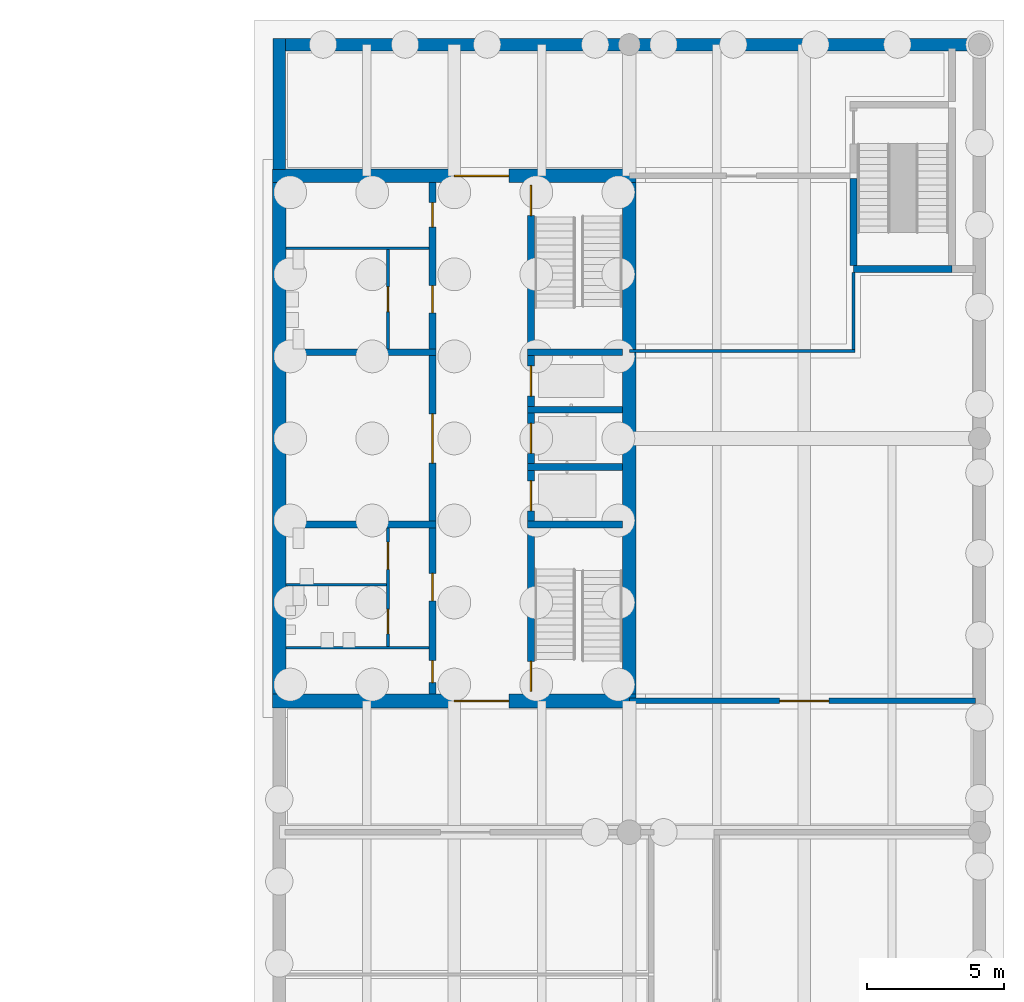
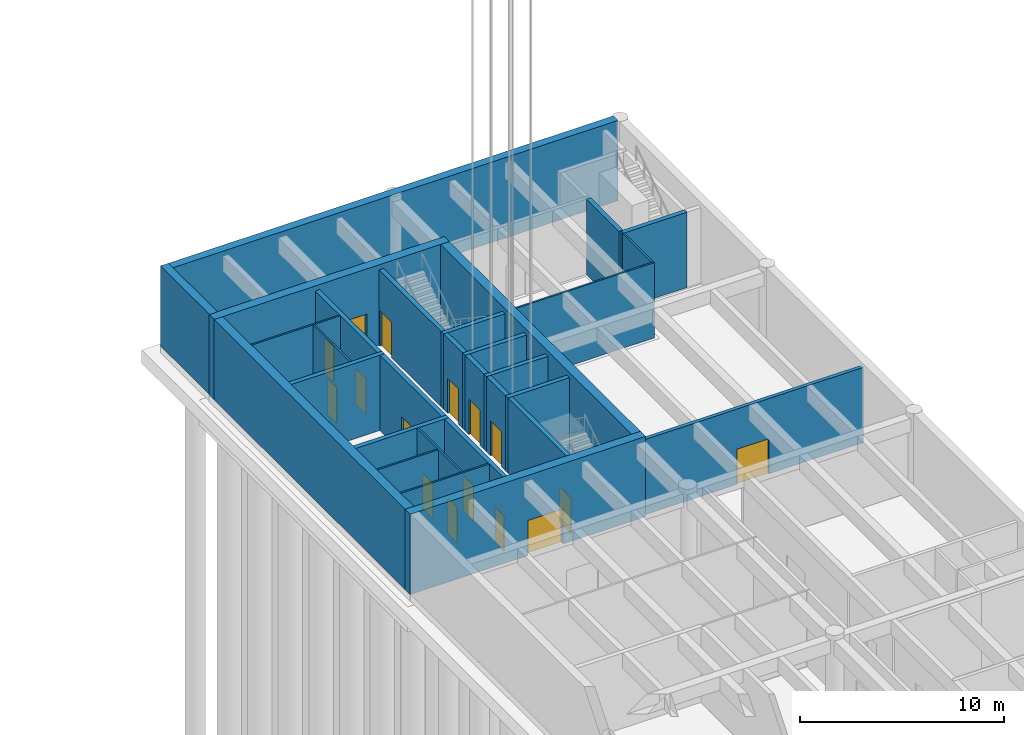
# One storey, part 6 of 24: 30 walls, 16 doors, 16 openings.
"""IFC4 building model written with IfcOpenShell, lengths in metres."""

from ifc_helpers import new_model, si_unit, direction, frame, frame_2d, origin, place, context, subcontext, project, spatial, rectangle, extrude, material, layer, layer_set, type_object, element, fill, save


model = new_model("IFC4")

# Units and contexts
model_context = context("Model", 3, precision=1e-05, world=origin(), true_north=direction((0.0, 1.0)))
body_context = subcontext(model_context, "Body", "Model", "MODEL_VIEW")
ifc_project = project(units=[si_unit("LENGTHUNIT", "METRE"), si_unit("AREAUNIT", "SQUARE_METRE"), si_unit("VOLUMEUNIT", "CUBIC_METRE"), si_unit("PLANEANGLEUNIT", "RADIAN"), si_unit("MASSUNIT", "GRAM", prefix="KILO")], contexts=[model_context])

# Site, building, storey
site_placement = place(None, origin())
site = spatial("IfcSite", under=ifc_project, at=site_placement, CompositionType="ELEMENT")
building_placement = place(site_placement, origin())
building = spatial("IfcBuilding", under=site, at=building_placement, Name="Fogon Plaza Fire Station and Headquarters Tower", CompositionType="ELEMENT")
storey_placement = place(building_placement, frame((0.0, 0.0, -4.800048828125)))
storey = spatial("IfcBuildingStorey", under=building, at=storey_placement, Name="B1", CompositionType="ELEMENT", Elevation=-4.800048828125)

# Walls
ifc_material_1 = material(Name="Concrete C40", Category="concrete")
ifc_layer_1 = layer(ifc_material_1, 0.25)
ifc_layer_set_1 = layer_set([ifc_layer_1], Name="Concrete C40")
wall_type_1 = type_object("IfcWallType", Name="Core Wall RC 250", PredefinedType="SOLIDWALL", material=ifc_layer_set_1)
for number, where, z_axis, x_axis, name in (
    (1, (76.550048828125, 40.050048828125, 0.0), (0.0, 0.0, 1.0), (-1.0, 0.0, 0.0), "Core B shaft wall"),
    (2, (76.550048828125, 42.14990234375, 0.0), (0.0, 0.0, 1.0), (-1.0, 0.0, 0.0), "Core B shaft wall"),
    (3, (76.550048828125, 44.25, 0.0), (0.0, 0.0, 1.0), (-1.0, 0.0, 0.0), "Core B shaft wall"),
    (4, (76.550048828125, 46.35009765625, 0.0), (0.0, 0.0, 1.0), (-1.0, 0.0, 0.0), "Core B shaft wall"),
):
    element("IfcWall", number, at=place(storey_placement, frame(where, z_axis=z_axis, x_axis=x_axis)), inside=storey, type_object=wall_type_1, Name=name, PredefinedType="SOLIDWALL", context=body_context, shape_type="SweptSolid", body=[
        extrude(rectangle(XDim=3.47509765625, YDim=0.25, at=frame_2d((1.737548828125, 0.0))), origin(), (0.0, 0.0, 1.0), 4.5),
    ])

# Wall, opening, door
wall_1_placement = place(storey_placement, frame((73.199951171875, 33.85009765625, 0.0), z_axis=(0.0, 0.0, 1.0), x_axis=(0.0, 1.0, 0.0)))
wall_1 = element("IfcWall", 5, at=wall_1_placement, inside=storey, type_object=wall_type_1, Name="Core B shaft wall", PredefinedType="SOLIDWALL", context=body_context, shape_type="SweptSolid", body=[
    extrude(rectangle(XDim=6.074951171875, YDim=0.25, at=frame_2d((3.03759765625, 0.0))), origin(), (0.0, 0.0, 1.0), 4.5),
])
opening_1_placement = place(wall_1_placement, frame((0.10009765625, 0.0, 0.0)))
opening_1 = element("IfcOpeningElement", 6, at=opening_1_placement, cuts=wall_1, Name="Opening B1-D16", PredefinedType="OPENING", context=body_context, shape_type="SweptSolid", body=[
    extrude(rectangle(XDim=1.10009765625, YDim=2.10009765625, at=frame_2d((0.550048828125, 1.050048828125))), frame((0.0, 0.135009765625, 0.0), z_axis=(0.0, -1.0, 0.0), x_axis=(1.0, 0.0, 0.0)), (0.0, 0.0, 1.0), 0.27001953125),
])
ifc_material_2 = material(Name="Steel Fire Door Leaf", Category="steel")
door_type_1 = type_object("IfcDoorType", Name="Stair Door Single 1100x2100", OperationType="SINGLE_SWING_LEFT", PredefinedType="DOOR", material=ifc_material_2)
door_1_placement = place(opening_1_placement, frame((1.10009765625, 0.0, 0.0), z_axis=(0.0, 0.0, 1.0), x_axis=(-1.0, 0.0, 0.0)))
door_1 = element("IfcDoor", 7, at=door_1_placement, inside=storey, type_object=door_type_1, Name="Stair door ST3", OperationType="SINGLE_SWING_RIGHT", OverallHeight=2.10009765625, OverallWidth=1.10009765625, PredefinedType="DOOR", context=body_context, shape_type="SweptSolid", body=[
    extrude(rectangle(XDim=1.10009765625, YDim=2.10009765625, at=frame_2d((0.550048828125, 1.050048828125))), frame((0.0, 0.02490234375, 0.0), z_axis=(0.0, -1.0, 0.0), x_axis=(1.0, 0.0, 0.0)), (0.0, 0.0, 1.0), 0.050048828125),
])
fill(opening_1, door_1)

wall_2_placement = place(storey_placement, frame((73.199951171875, 40.175048828125, 0.0), z_axis=(0.0, 0.0, 1.0), x_axis=(0.0, 1.0, 0.0)))
wall_2 = element("IfcWall", 8, at=wall_2_placement, inside=storey, type_object=wall_type_1, Name="Core B shaft wall", PredefinedType="SOLIDWALL", context=body_context, shape_type="SweptSolid", body=[
    extrude(rectangle(XDim=1.849853515625, YDim=0.25, at=frame_2d((0.9248046875, 0.0))), origin(), (0.0, 0.0, 1.0), 4.5),
])
opening_2_placement = place(wall_2_placement, frame((0.375, 0.0, 0.0)))
opening_2 = element("IfcOpeningElement", 9, at=opening_2_placement, cuts=wall_2, Name="Opening B1-D18", PredefinedType="OPENING", context=body_context, shape_type="SweptSolid", body=[
    extrude(rectangle(XDim=1.10009765625, YDim=2.10009765625, at=frame_2d((0.550048828125, 1.050048828125))), frame((0.0, 0.135009765625, 0.0), z_axis=(0.0, -1.0, 0.0), x_axis=(1.0, 0.0, 0.0)), (0.0, 0.0, 1.0), 0.27001953125),
])
ifc_material_3 = material(Name="Stainless Steel", Category="steel")
door_type_2 = type_object("IfcDoorType", Name="Lift Landing Door 1100x2100", OperationType="SLIDING_TO_LEFT", PredefinedType="DOOR", material=ifc_material_3)
door_2_placement = place(opening_2_placement, origin())
door_2 = element("IfcDoor", 10, at=door_2_placement, inside=storey, type_object=door_type_2, Name="Lift LP3 landing door", OperationType="SLIDING_TO_LEFT", OverallHeight=2.10009765625, OverallWidth=1.10009765625, PredefinedType="DOOR", context=body_context, shape_type="SweptSolid", body=[
    extrude(rectangle(XDim=1.10009765625, YDim=2.10009765625, at=frame_2d((0.550048828125, 1.050048828125))), frame((0.0, 0.02490234375, 0.0), z_axis=(0.0, -1.0, 0.0), x_axis=(1.0, 0.0, 0.0)), (0.0, 0.0, 1.0), 0.050048828125),
])
fill(opening_2, door_2)

wall_3_placement = place(storey_placement, frame((73.199951171875, 42.27490234375, 0.0), z_axis=(0.0, 0.0, 1.0), x_axis=(0.0, 1.0, 0.0)))
wall_3 = element("IfcWall", 11, at=wall_3_placement, inside=storey, type_object=wall_type_1, Name="Core B shaft wall", PredefinedType="SOLIDWALL", context=body_context, shape_type="SweptSolid", body=[
    extrude(rectangle(XDim=1.85009765625, YDim=0.25, at=frame_2d((0.925048828125, 0.0))), origin(), (0.0, 0.0, 1.0), 4.5),
])
opening_3_placement = place(wall_3_placement, frame((0.375, 0.0, 0.0)))
opening_3 = element("IfcOpeningElement", 12, at=opening_3_placement, cuts=wall_3, Name="Opening B1-D19", PredefinedType="OPENING", context=body_context, shape_type="SweptSolid", body=[
    extrude(rectangle(XDim=1.10009765625, YDim=2.10009765625, at=frame_2d((0.550048828125, 1.050048828125))), frame((0.0, 0.135009765625, 0.0), z_axis=(0.0, -1.0, 0.0), x_axis=(1.0, 0.0, 0.0)), (0.0, 0.0, 1.0), 0.27001953125),
])
door_3_placement = place(opening_3_placement, origin())
door_3 = element("IfcDoor", 13, at=door_3_placement, inside=storey, type_object=door_type_2, Name="Lift LP4 landing door", OperationType="SLIDING_TO_LEFT", OverallHeight=2.10009765625, OverallWidth=1.10009765625, PredefinedType="DOOR", context=body_context, shape_type="SweptSolid", body=[
    extrude(rectangle(XDim=1.10009765625, YDim=2.10009765625, at=frame_2d((0.550048828125, 1.050048828125))), frame((0.0, 0.02490234375, 0.0), z_axis=(0.0, -1.0, 0.0), x_axis=(1.0, 0.0, 0.0)), (0.0, 0.0, 1.0), 0.050048828125),
])
fill(opening_3, door_3)

wall_4_placement = place(storey_placement, frame((73.199951171875, 44.375, 0.0), z_axis=(0.0, 0.0, 1.0), x_axis=(0.0, 1.0, 0.0)))
wall_4 = element("IfcWall", 14, at=wall_4_placement, inside=storey, type_object=wall_type_1, Name="Core B shaft wall", PredefinedType="SOLIDWALL", context=body_context, shape_type="SweptSolid", body=[
    extrude(rectangle(XDim=1.85009765625, YDim=0.25, at=frame_2d((0.925048828125, 0.0))), origin(), (0.0, 0.0, 1.0), 4.5),
])
opening_4_placement = place(wall_4_placement, frame((0.375, 0.0, 0.0)))
opening_4 = element("IfcOpeningElement", 15, at=opening_4_placement, cuts=wall_4, Name="Opening B1-D20", PredefinedType="OPENING", context=body_context, shape_type="SweptSolid", body=[
    extrude(rectangle(XDim=1.10009765625, YDim=2.10009765625, at=frame_2d((0.550048828125, 1.050048828125))), frame((0.0, 0.135009765625, 0.0), z_axis=(0.0, -1.0, 0.0), x_axis=(1.0, 0.0, 0.0)), (0.0, 0.0, 1.0), 0.27001953125),
])
door_4_placement = place(opening_4_placement, origin())
door_4 = element("IfcDoor", 16, at=door_4_placement, inside=storey, type_object=door_type_2, Name="Lift FL2 landing door", OperationType="SLIDING_TO_LEFT", OverallHeight=2.10009765625, OverallWidth=1.10009765625, PredefinedType="DOOR", context=body_context, shape_type="SweptSolid", body=[
    extrude(rectangle(XDim=1.10009765625, YDim=2.10009765625, at=frame_2d((0.550048828125, 1.050048828125))), frame((0.0, 0.02490234375, 0.0), z_axis=(0.0, -1.0, 0.0), x_axis=(1.0, 0.0, 0.0)), (0.0, 0.0, 1.0), 0.050048828125),
])
fill(opening_4, door_4)

wall_5_placement = place(storey_placement, frame((73.199951171875, 46.47509765625, 0.0), z_axis=(0.0, 0.0, 1.0), x_axis=(0.0, 1.0, 0.0)))
wall_5 = element("IfcWall", 17, at=wall_5_placement, inside=storey, type_object=wall_type_1, Name="Core B shaft wall", PredefinedType="SOLIDWALL", context=body_context, shape_type="SweptSolid", body=[
    extrude(rectangle(XDim=6.074951171875, YDim=0.25, at=frame_2d((3.03759765625, 0.0))), origin(), (0.0, 0.0, 1.0), 4.5),
])
opening_5_placement = place(wall_5_placement, frame((4.875, 0.0, 0.0)))
opening_5 = element("IfcOpeningElement", 18, at=opening_5_placement, cuts=wall_5, Name="Opening B1-D17", PredefinedType="OPENING", context=body_context, shape_type="SweptSolid", body=[
    extrude(rectangle(XDim=1.10009765625, YDim=2.10009765625, at=frame_2d((0.550048828125, 1.050048828125))), frame((0.0, 0.135009765625, 0.0), z_axis=(0.0, -1.0, 0.0), x_axis=(1.0, 0.0, 0.0)), (0.0, 0.0, 1.0), 0.27001953125),
])
door_5_placement = place(opening_5_placement, frame((1.10009765625, 0.0, 0.0), z_axis=(0.0, 0.0, 1.0), x_axis=(-1.0, 0.0, 0.0)))
door_5 = element("IfcDoor", 19, at=door_5_placement, inside=storey, type_object=door_type_1, Name="Stair door ST4", OperationType="SINGLE_SWING_LEFT", OverallHeight=2.10009765625, OverallWidth=1.10009765625, PredefinedType="DOOR", context=body_context, shape_type="SweptSolid", body=[
    extrude(rectangle(XDim=1.10009765625, YDim=2.10009765625, at=frame_2d((0.550048828125, 1.050048828125))), frame((0.0, 0.02490234375, 0.0), z_axis=(0.0, -1.0, 0.0), x_axis=(1.0, 0.0, 0.0)), (0.0, 0.0, 1.0), 0.050048828125),
])
fill(opening_5, door_5)

# Wall, openings, doors
wall_6_placement = place(storey_placement, frame((69.60009765625, 33.85009765625, 0.0), z_axis=(0.0, 0.0, 1.0), x_axis=(0.0, 1.0, 0.0)))
wall_6 = element("IfcWall", 20, at=wall_6_placement, inside=storey, type_object=wall_type_1, Name="Core B shaft wall", PredefinedType="SOLIDWALL", context=body_context, shape_type="SweptSolid", body=[
    extrude(rectangle(XDim=6.074951171875, YDim=0.25, at=frame_2d((3.03759765625, 0.0))), origin(), (0.0, 0.0, 1.0), 4.5),
])
opening_6_placement = place(wall_6_placement, frame((0.425048828125, 0.0, 0.0)))
opening_6 = element("IfcOpeningElement", 21, at=opening_6_placement, cuts=wall_6, Name="Opening B1-D22", PredefinedType="OPENING", context=body_context, shape_type="SweptSolid", body=[
    extrude(rectangle(XDim=0.800048828125, YDim=2.10009765625, at=frame_2d((0.39990234375, 1.050048828125))), frame((0.0, 0.135009765625, 0.0), z_axis=(0.0, -1.0, 0.0), x_axis=(1.0, 0.0, 0.0)), (0.0, 0.0, 1.0), 0.27001953125),
])
opening_7_placement = place(wall_6_placement, frame((3.41259765625, 0.0, 0.0)))
opening_7 = element("IfcOpeningElement", 22, at=opening_7_placement, cuts=wall_6, Name="Opening B1-D23", PredefinedType="OPENING", context=body_context, shape_type="SweptSolid", body=[
    extrude(rectangle(XDim=1.0, YDim=2.10009765625, at=frame_2d((0.5, 1.050048828125))), frame((0.0, 0.135009765625, 0.0), z_axis=(0.0, -1.0, 0.0), x_axis=(1.0, 0.0, 0.0)), (0.0, 0.0, 1.0), 0.27001953125),
])
ifc_material_4 = material(Name="Timber Door Leaf", Category="wood")
door_type_3 = type_object("IfcDoorType", Name="Cleaner Store Single 800x2100", OperationType="SINGLE_SWING_LEFT", PredefinedType="DOOR", material=ifc_material_4)
door_6_placement = place(opening_6_placement, origin())
door_6 = element("IfcDoor", 23, at=door_6_placement, inside=storey, type_object=door_type_3, Name="Cleaner's store B door", OperationType="SINGLE_SWING_RIGHT", OverallHeight=2.10009765625, OverallWidth=0.800048828125, PredefinedType="DOOR", context=body_context, shape_type="SweptSolid", body=[
    extrude(rectangle(XDim=0.800048828125, YDim=2.10009765625, at=frame_2d((0.39990234375, 1.050048828125))), frame((0.0, 0.02490234375, 0.0), z_axis=(0.0, -1.0, 0.0), x_axis=(1.0, 0.0, 0.0)), (0.0, 0.0, 1.0), 0.050048828125),
])
fill(opening_6, door_6)
ifc_material_5 = material(Name="Timber fire door", Category="wood")
door_type_4 = type_object("IfcDoorType", Name="WC Lobby Single 1000x2100", OperationType="SINGLE_SWING_LEFT", PredefinedType="DOOR", material=ifc_material_5)
door_7_placement = place(opening_7_placement, origin())
door_7 = element("IfcDoor", 24, at=door_7_placement, inside=storey, type_object=door_type_4, Name="Men's WC lobby B door", OperationType="SINGLE_SWING_LEFT", OverallHeight=2.10009765625, OverallWidth=1.0, PredefinedType="DOOR", context=body_context, shape_type="SweptSolid", body=[
    extrude(rectangle(XDim=1.0, YDim=2.10009765625, at=frame_2d((0.5, 1.050048828125))), frame((0.0, 0.02490234375, 0.0), z_axis=(0.0, -1.0, 0.0), x_axis=(1.0, 0.0, 0.0)), (0.0, 0.0, 1.0), 0.050048828125),
])
fill(opening_7, door_7)

# Wall, opening, door
wall_7_placement = place(storey_placement, frame((69.60009765625, 40.175048828125, 0.0), z_axis=(0.0, 0.0, 1.0), x_axis=(0.0, 1.0, 0.0)))
wall_7 = element("IfcWall", 25, at=wall_7_placement, inside=storey, type_object=wall_type_1, Name="Core B shaft wall", PredefinedType="SOLIDWALL", context=body_context, shape_type="SweptSolid", body=[
    extrude(rectangle(XDim=6.050048828125, YDim=0.25, at=frame_2d((3.02490234375, 0.0))), origin(), (0.0, 0.0, 1.0), 4.5),
])
opening_8_placement = place(wall_7_placement, frame((2.125, 0.0, 0.0)))
opening_8 = element("IfcOpeningElement", 26, at=opening_8_placement, cuts=wall_7, Name="Opening B1-D21", PredefinedType="OPENING", context=body_context, shape_type="SweptSolid", body=[
    extrude(rectangle(XDim=1.800048828125, YDim=2.10009765625, at=frame_2d((0.89990234375, 1.050048828125))), frame((0.0, 0.135009765625, 0.0), z_axis=(0.0, -1.0, 0.0), x_axis=(1.0, 0.0, 0.0)), (0.0, 0.0, 1.0), 0.27001953125),
])
ifc_material_6 = material(Name="Steel Fire Door Leaf", Category="steel")
door_type_5 = type_object("IfcDoorType", Name="Store Double 1800x2100", OperationType="DOUBLE_DOOR_SINGLE_SWING", PredefinedType="DOOR", material=ifc_material_6)
door_8_placement = place(opening_8_placement, origin())
door_8 = element("IfcDoor", 27, at=door_8_placement, inside=storey, type_object=door_type_5, Name="Service store B door", OperationType="DOUBLE_DOOR_SINGLE_SWING", OverallHeight=2.10009765625, OverallWidth=1.800048828125, PredefinedType="DOOR", context=body_context, shape_type="SweptSolid", body=[
    extrude(rectangle(XDim=1.800048828125, YDim=2.10009765625, at=frame_2d((0.89990234375, 1.050048828125))), frame((0.0, 0.02490234375, 0.0), z_axis=(0.0, -1.0, 0.0), x_axis=(1.0, 0.0, 0.0)), (0.0, 0.0, 1.0), 0.050048828125),
])
fill(opening_8, door_8)

# Wall, openings, doors
wall_8_placement = place(storey_placement, frame((69.60009765625, 46.47509765625, 0.0), z_axis=(0.0, 0.0, 1.0), x_axis=(0.0, 1.0, 0.0)))
wall_8 = element("IfcWall", 28, at=wall_8_placement, inside=storey, type_object=wall_type_1, Name="Core B shaft wall", PredefinedType="SOLIDWALL", context=body_context, shape_type="SweptSolid", body=[
    extrude(rectangle(XDim=6.074951171875, YDim=0.25, at=frame_2d((3.03759765625, 0.0))), origin(), (0.0, 0.0, 1.0), 4.5),
])
opening_9_placement = place(wall_8_placement, frame((1.3125, 0.0, 0.0)))
opening_9 = element("IfcOpeningElement", 29, at=opening_9_placement, cuts=wall_8, Name="Opening B1-D26", PredefinedType="OPENING", context=body_context, shape_type="SweptSolid", body=[
    extrude(rectangle(XDim=1.0, YDim=2.10009765625, at=frame_2d((0.5, 1.050048828125))), frame((0.0, 0.135009765625, 0.0), z_axis=(0.0, -1.0, 0.0), x_axis=(1.0, 0.0, 0.0)), (0.0, 0.0, 1.0), 0.27001953125),
])
opening_10_placement = place(wall_8_placement, frame((4.449951171875, 0.0, 0.0)))
opening_10 = element("IfcOpeningElement", 30, at=opening_10_placement, cuts=wall_8, Name="Opening B1-D28", PredefinedType="OPENING", context=body_context, shape_type="SweptSolid", body=[
    extrude(rectangle(XDim=0.89990234375, YDim=2.10009765625, at=frame_2d((0.449951171875, 1.050048828125))), frame((0.0, 0.135009765625, 0.0), z_axis=(0.0, -1.0, 0.0), x_axis=(1.0, 0.0, 0.0)), (0.0, 0.0, 1.0), 0.27001953125),
])
ifc_material_7 = material(Name="Steel Fire Door Leaf", Category="steel")
door_type_6 = type_object("IfcDoorType", Name="Riser Single 900x2100", OperationType="SINGLE_SWING_LEFT", PredefinedType="DOOR", material=ifc_material_7)
door_9_placement = place(opening_10_placement, origin())
door_9 = element("IfcDoor", 31, at=door_9_placement, inside=storey, type_object=door_type_6, Name="Riser room B door", OperationType="SINGLE_SWING_RIGHT", OverallHeight=2.10009765625, OverallWidth=0.89990234375, PredefinedType="DOOR", context=body_context, shape_type="SweptSolid", body=[
    extrude(rectangle(XDim=0.89990234375, YDim=2.10009765625, at=frame_2d((0.449951171875, 1.050048828125))), frame((0.0, 0.02490234375, 0.0), z_axis=(0.0, -1.0, 0.0), x_axis=(1.0, 0.0, 0.0)), (0.0, 0.0, 1.0), 0.050048828125),
])
fill(opening_10, door_9)
door_10_placement = place(opening_9_placement, origin())
door_10 = element("IfcDoor", 32, at=door_10_placement, inside=storey, type_object=door_type_4, Name="Women's WC lobby B door", OperationType="SINGLE_SWING_RIGHT", OverallHeight=2.10009765625, OverallWidth=1.0, PredefinedType="DOOR", context=body_context, shape_type="SweptSolid", body=[
    extrude(rectangle(XDim=1.0, YDim=2.10009765625, at=frame_2d((0.5, 1.050048828125))), frame((0.0, 0.02490234375, 0.0), z_axis=(0.0, -1.0, 0.0), x_axis=(1.0, 0.0, 0.0)), (0.0, 0.0, 1.0), 0.050048828125),
])
fill(opening_9, door_10)

# Walls
for number, where, z_axis, x_axis, name in (
    (33, (69.72509765625, 40.050048828125, 0.0), (0.0, 0.0, 1.0), (-1.0, 0.0, 0.0), "Core B shaft wall"),
    (34, (69.72509765625, 46.35009765625, 0.0), (0.0, 0.0, 1.0), (-1.0, 0.0, 0.0), "Core B shaft wall"),
):
    element("IfcWall", number, at=place(storey_placement, frame(where, z_axis=z_axis, x_axis=x_axis)), inside=storey, type_object=wall_type_1, Name=name, PredefinedType="SOLIDWALL", context=body_context, shape_type="SweptSolid", body=[
        extrude(rectangle(XDim=5.47509765625, YDim=0.25, at=frame_2d((2.737548828125, 0.0))), origin(), (0.0, 0.0, 1.0), 4.5),
    ])

# Wall, opening, door
ifc_material_8 = material(Name="Gypsum Board Fire Partition")
ifc_layer_2 = layer(ifc_material_8, 0.199951171875)
ifc_layer_set_2 = layer_set([ifc_layer_2], Name="Gypsum Board Fire Partition")
wall_type_2 = type_object("IfcWallType", Name="Corridor Wall EI 60", PredefinedType="PARTITIONING", material=ifc_layer_set_2)
wall_9_placement = place(storey_placement, frame((89.449951171875, 33.60009765625, 0.0), z_axis=(0.0, 0.0, 1.0), x_axis=(-1.0, 0.0, 0.0)))
wall_9 = element("IfcWall", 35, at=wall_9_placement, inside=storey, type_object=wall_type_2, Name="wall-B1-E-019", PredefinedType="PARTITIONING", context=body_context, shape_type="SweptSolid", body=[
    extrude(rectangle(XDim=12.64990234375, YDim=0.199951171875, at=frame_2d((6.324951171875, 0.0))), origin(), (0.0, 0.0, 1.0), 4.5),
])
opening_11_placement = place(wall_9_placement, frame((5.35009765625, 0.0, 0.0)))
opening_11 = element("IfcOpeningElement", 36, at=opening_11_placement, cuts=wall_9, Name="Opening B1-D52", PredefinedType="OPENING", context=body_context, shape_type="SweptSolid", body=[
    extrude(rectangle(XDim=1.800048828125, YDim=2.10009765625, at=frame_2d((0.89990234375, 1.050048828125))), frame((0.0, 0.10986328125, 0.0), z_axis=(0.0, -1.0, 0.0), x_axis=(1.0, 0.0, 0.0)), (0.0, 0.0, 1.0), 0.219970703125),
])
ifc_material_9 = material(Name="Steel Fire Door Leaf", Category="steel")
door_type_7 = type_object("IfcDoorType", Name="Corridor Door Double EI 20 1800x2100", OperationType="SINGLE_SWING_LEFT", PredefinedType="DOOR", material=ifc_material_9)
door_11_placement = place(opening_11_placement, frame((1.800048828125, 0.0, 0.0), z_axis=(0.0, 0.0, 1.0), x_axis=(-1.0, 0.0, 0.0)))
door_11 = element("IfcDoor", 37, at=door_11_placement, inside=storey, type_object=door_type_7, Name="door-B1-E-12", OperationType="DOUBLE_DOOR_SINGLE_SWING", OverallHeight=2.10009765625, OverallWidth=1.800048828125, PredefinedType="DOOR", context=body_context, shape_type="SweptSolid", body=[
    extrude(rectangle(XDim=1.800048828125, YDim=2.10009765625, at=frame_2d((0.89990234375, 1.050048828125))), frame((0.0, 0.02490234375, 0.0), z_axis=(0.0, -1.0, 0.0), x_axis=(1.0, 0.0, 0.0)), (0.0, 0.0, 1.0), 0.050048828125),
])
fill(opening_11, door_11)

# Wall
ifc_material_10 = material(Name="Blockwork", Category="masonry")
ifc_layer_3 = layer(ifc_material_10, 0.10009765625)
ifc_layer_set_3 = layer_set([ifc_layer_3], Name="Blockwork")
wall_type_3 = type_object("IfcWallType", Name="Partition Blockwork 100", PredefinedType="PARTITIONING", material=ifc_layer_set_3)
wall_10_placement = place(storey_placement, frame((69.47509765625, 35.550048828125, 0.0), z_axis=(0.0, 0.0, 1.0), x_axis=(-1.0, 0.0, 0.0)))
element("IfcWall", 38, at=wall_10_placement, inside=storey, type_object=wall_type_3, Name="Cleaner's store partition", PredefinedType="PARTITIONING", context=body_context, shape_type="SweptSolid", body=[
    extrude(rectangle(XDim=5.22509765625, YDim=0.10009765625, at=frame_2d((2.612548828125, 0.0))), origin(), (0.0, 0.0, 1.0), 4.5),
])

# Wall, openings, doors
wall_11_placement = place(storey_placement, frame((67.97509765625, 35.60009765625, 0.0), z_axis=(0.0, 0.0, 1.0), x_axis=(0.0, 1.0, 0.0)))
wall_11 = element("IfcWall", 39, at=wall_11_placement, inside=storey, type_object=wall_type_3, Name="WC block partition", PredefinedType="PARTITIONING", context=body_context, shape_type="SweptSolid", body=[
    extrude(rectangle(XDim=4.324951171875, YDim=0.10009765625, at=frame_2d((2.16259765625, 0.0))), origin(), (0.0, 0.0, 1.0), 4.5),
])
opening_12_placement = place(wall_11_placement, frame((0.449951171875, 0.0, 0.0)))
opening_12 = element("IfcOpeningElement", 40, at=opening_12_placement, cuts=wall_11, Name="Opening B1-D24", PredefinedType="OPENING", context=body_context, shape_type="SweptSolid", body=[
    extrude(rectangle(XDim=0.89990234375, YDim=2.10009765625, at=frame_2d((0.449951171875, 1.050048828125))), frame((0.0, 0.06005859375, 0.0), z_axis=(0.0, -1.0, 0.0), x_axis=(1.0, 0.0, 0.0)), (0.0, 0.0, 1.0), 0.1201171875),
])
opening_13_placement = place(wall_11_placement, frame((2.8125, 0.0, 0.0)))
opening_13 = element("IfcOpeningElement", 41, at=opening_13_placement, cuts=wall_11, Name="Opening B1-D25", PredefinedType="OPENING", context=body_context, shape_type="SweptSolid", body=[
    extrude(rectangle(XDim=1.0, YDim=2.10009765625, at=frame_2d((0.5, 1.050048828125))), frame((0.0, 0.06005859375, 0.0), z_axis=(0.0, -1.0, 0.0), x_axis=(1.0, 0.0, 0.0)), (0.0, 0.0, 1.0), 0.1201171875),
])
ifc_material_11 = material(Name="Timber Door Leaf", Category="wood")
door_type_8 = type_object("IfcDoorType", Name="Accessible WC Single 1000x2100", OperationType="SINGLE_SWING_LEFT", PredefinedType="DOOR", material=ifc_material_11)
door_12_placement = place(opening_13_placement, origin())
door_12 = element("IfcDoor", 42, at=door_12_placement, inside=storey, type_object=door_type_8, Name="Accessible WC B door", OperationType="SINGLE_SWING_LEFT", OverallHeight=2.10009765625, OverallWidth=1.0, PredefinedType="DOOR", context=body_context, shape_type="SweptSolid", body=[
    extrude(rectangle(XDim=1.0, YDim=2.10009765625, at=frame_2d((0.5, 1.050048828125))), frame((0.0, 0.02490234375, 0.0), z_axis=(0.0, -1.0, 0.0), x_axis=(1.0, 0.0, 0.0)), (0.0, 0.0, 1.0), 0.050048828125),
])
fill(opening_13, door_12)
ifc_material_12 = material(Name="Timber Door Leaf", Category="wood")
door_type_9 = type_object("IfcDoorType", Name="WC Single 900x2100", OperationType="SINGLE_SWING_LEFT", PredefinedType="DOOR", material=ifc_material_12)
door_13_placement = place(opening_12_placement, origin())
door_13 = element("IfcDoor", 43, at=door_13_placement, inside=storey, type_object=door_type_9, Name="Men's WC B door", OperationType="SINGLE_SWING_LEFT", OverallHeight=2.10009765625, OverallWidth=0.89990234375, PredefinedType="DOOR", context=body_context, shape_type="SweptSolid", body=[
    extrude(rectangle(XDim=0.89990234375, YDim=2.10009765625, at=frame_2d((0.449951171875, 1.050048828125))), frame((0.0, 0.02490234375, 0.0), z_axis=(0.0, -1.0, 0.0), x_axis=(1.0, 0.0, 0.0)), (0.0, 0.0, 1.0), 0.050048828125),
])
fill(opening_12, door_13)

# Wall
wall_12_placement = place(storey_placement, frame((67.925048828125, 37.85009765625, 0.0), z_axis=(0.0, 0.0, 1.0), x_axis=(-1.0, 0.0, 0.0)))
element("IfcWall", 44, at=wall_12_placement, inside=storey, type_object=wall_type_3, Name="WC block partition", PredefinedType="PARTITIONING", context=body_context, shape_type="SweptSolid", body=[
    extrude(rectangle(XDim=3.675048828125, YDim=0.10009765625, at=frame_2d((1.83740234375, 0.0))), origin(), (0.0, 0.0, 1.0), 4.5),
])

# Wall, opening, door
wall_13_placement = place(storey_placement, frame((67.97509765625, 46.47509765625, 0.0), z_axis=(0.0, 0.0, 1.0), x_axis=(0.0, 1.0, 0.0)))
wall_13 = element("IfcWall", 45, at=wall_13_placement, inside=storey, type_object=wall_type_3, Name="WC block partition", PredefinedType="PARTITIONING", context=body_context, shape_type="SweptSolid", body=[
    extrude(rectangle(XDim=3.625, YDim=0.10009765625, at=frame_2d((1.8125, 0.0))), origin(), (0.0, 0.0, 1.0), 4.5),
])
opening_14_placement = place(wall_13_placement, frame((1.362548828125, 0.0, 0.0)))
opening_14 = element("IfcOpeningElement", 46, at=opening_14_placement, cuts=wall_13, Name="Opening B1-D27", PredefinedType="OPENING", context=body_context, shape_type="SweptSolid", body=[
    extrude(rectangle(XDim=0.89990234375, YDim=2.10009765625, at=frame_2d((0.449951171875, 1.050048828125))), frame((0.0, 0.06005859375, 0.0), z_axis=(0.0, -1.0, 0.0), x_axis=(1.0, 0.0, 0.0)), (0.0, 0.0, 1.0), 0.1201171875),
])
door_14_placement = place(opening_14_placement, origin())
door_14 = element("IfcDoor", 47, at=door_14_placement, inside=storey, type_object=door_type_9, Name="Women's WC B door", OperationType="SINGLE_SWING_LEFT", OverallHeight=2.10009765625, OverallWidth=0.89990234375, PredefinedType="DOOR", context=body_context, shape_type="SweptSolid", body=[
    extrude(rectangle(XDim=0.89990234375, YDim=2.10009765625, at=frame_2d((0.449951171875, 1.050048828125))), frame((0.0, 0.02490234375, 0.0), z_axis=(0.0, -1.0, 0.0), x_axis=(1.0, 0.0, 0.0)), (0.0, 0.0, 1.0), 0.050048828125),
])
fill(opening_14, door_14)

# Walls
ifc_material_13 = material(Name="Gypsum Board Partition")
ifc_layer_4 = layer(ifc_material_13, 0.10009765625)
ifc_layer_set_4 = layer_set([ifc_layer_4], Name="Gypsum Board Partition")
wall_type_4 = type_object("IfcWallType", Name="Partition Gypsum 100", PredefinedType="PARTITIONING", material=ifc_layer_set_4)
wall_14_placement = place(storey_placement, frame((85.050048828125, 46.39990234375, 0.0), z_axis=(0.0, 0.0, 1.0), x_axis=(-1.0, 0.0, 0.0)))
element("IfcWall", 48, at=wall_14_placement, inside=storey, type_object=wall_type_4, Name="wall-B1-E-020", PredefinedType="PARTITIONING", context=body_context, shape_type="SweptSolid", body=[
    extrude(rectangle(XDim=8.25, YDim=0.10009765625, at=frame_2d((4.125, 0.0))), origin(), (0.0, 0.0, 1.0), 4.5),
])
wall_15_placement = place(storey_placement, frame((85.0, 46.449951171875, 0.0), z_axis=(0.0, 0.0, 1.0), x_axis=(0.0, 1.0, 0.0)))
element("IfcWall", 49, at=wall_15_placement, inside=storey, type_object=wall_type_4, Name="wall-B1-E-031", PredefinedType="PARTITIONING", context=body_context, shape_type="SweptSolid", body=[
    extrude(rectangle(XDim=2.824951171875, YDim=0.10009765625, at=frame_2d((1.41259765625, 0.0))), origin(), (0.0, 0.0, 1.0), 4.5),
])
ifc_material_14 = material(Name="Blockwork", Category="masonry")
ifc_layer_5 = layer(ifc_material_14, 0.10009765625)
ifc_layer_set_5 = layer_set([ifc_layer_5], Name="Blockwork")
wall_type_5 = type_object("IfcWallType", Name="Riser Partition Blockwork 100", PredefinedType="PARTITIONING", material=ifc_layer_set_5)
wall_16_placement = place(storey_placement, frame((69.47509765625, 50.14990234375, 0.0), z_axis=(0.0, 0.0, 1.0), x_axis=(-1.0, 0.0, 0.0)))
element("IfcWall", 50, at=wall_16_placement, inside=storey, type_object=wall_type_5, Name="Riser room partition", PredefinedType="PARTITIONING", context=body_context, shape_type="SweptSolid", body=[
    extrude(rectangle(XDim=5.22509765625, YDim=0.10009765625, at=frame_2d((2.612548828125, 0.0))), origin(), (0.0, 0.0, 1.0), 4.5),
])

# Wall, opening, door
ifc_material_15 = material(Name="Concrete C40", Category="concrete")
ifc_layer_6 = layer(ifc_material_15, 0.5)
ifc_layer_set_6 = layer_set([ifc_layer_6], Name="Concrete C40")
wall_type_6 = type_object("IfcWallType", Name="Shear wall 500 SW50", PredefinedType="SHEAR", material=ifc_layer_set_6)
wall_17_placement = place(storey_placement, frame((63.75, 52.800048828125, 0.0), z_axis=(0.0, 0.0, 1.0), x_axis=(1.0, 0.0, 0.0)))
wall_17 = element("IfcWall", 51, at=wall_17_placement, inside=storey, type_object=wall_type_6, Name="wall-coreB-N-B1", PredefinedType="SHEAR", context=body_context, shape_type="SweptSolid", body=[
    extrude(rectangle(XDim=13.300048828125, YDim=0.5, at=frame_2d((6.64990234375, 0.0))), origin(), (0.0, 0.0, 1.0), 4.800048828125),
])
opening_15_placement = place(wall_17_placement, frame((6.64990234375, 0.0, 0.0)))
opening_15 = element("IfcOpeningElement", 52, at=opening_15_placement, cuts=wall_17, Name="Opening B1-D30", PredefinedType="OPENING", context=body_context, shape_type="SweptSolid", body=[
    extrude(rectangle(XDim=2.0, YDim=2.10009765625, at=frame_2d((1.0, 1.050048828125))), frame((0.0, 0.260009765625, 0.0), z_axis=(0.0, -1.0, 0.0), x_axis=(1.0, 0.0, 0.0)), (0.0, 0.0, 1.0), 0.52001953125),
])
ifc_material_16 = material(Name="Steel Fire Door Leaf", Category="steel")
door_type_10 = type_object("IfcDoorType", Name="Core Lobby Double 2000x2100", OperationType="DOUBLE_DOOR_SINGLE_SWING", PredefinedType="DOOR", material=ifc_material_16)
door_15_placement = place(opening_15_placement, frame((2.0, 0.0, 0.0), z_axis=(0.0, 0.0, 1.0), x_axis=(-1.0, 0.0, 0.0)))
door_15 = element("IfcDoor", 53, at=door_15_placement, inside=storey, type_object=door_type_10, Name="Core B lobby door N", OperationType="DOUBLE_DOOR_SINGLE_SWING", OverallHeight=2.10009765625, OverallWidth=2.0, PredefinedType="DOOR", context=body_context, shape_type="SweptSolid", body=[
    extrude(rectangle(XDim=2.0, YDim=2.10009765625, at=frame_2d((1.0, 1.050048828125))), frame((0.0, 0.02490234375, 0.0), z_axis=(0.0, -1.0, 0.0), x_axis=(1.0, 0.0, 0.0)), (0.0, 0.0, 1.0), 0.050048828125),
])
fill(opening_15, door_15)

wall_18_placement = place(storey_placement, frame((63.75, 33.60009765625, 0.0), z_axis=(0.0, 0.0, 1.0), x_axis=(1.0, 0.0, 0.0)))
wall_18 = element("IfcWall", 54, at=wall_18_placement, inside=storey, type_object=wall_type_6, Name="wall-coreB-S-B1", PredefinedType="SHEAR", context=body_context, shape_type="SweptSolid", body=[
    extrude(rectangle(XDim=13.300048828125, YDim=0.5, at=frame_2d((6.64990234375, 0.0))), origin(), (0.0, 0.0, 1.0), 4.800048828125),
])
opening_16_placement = place(wall_18_placement, frame((6.64990234375, 0.0, 0.0)))
opening_16 = element("IfcOpeningElement", 55, at=opening_16_placement, cuts=wall_18, Name="Opening B1-D29", PredefinedType="OPENING", context=body_context, shape_type="SweptSolid", body=[
    extrude(rectangle(XDim=2.0, YDim=2.10009765625, at=frame_2d((1.0, 1.050048828125))), frame((0.0, 0.260009765625, 0.0), z_axis=(0.0, -1.0, 0.0), x_axis=(1.0, 0.0, 0.0)), (0.0, 0.0, 1.0), 0.52001953125),
])
door_16_placement = place(opening_16_placement, origin())
door_16 = element("IfcDoor", 56, at=door_16_placement, inside=storey, type_object=door_type_10, Name="Core B lobby door S", OperationType="DOUBLE_DOOR_SINGLE_SWING", OverallHeight=2.10009765625, OverallWidth=2.0, PredefinedType="DOOR", context=body_context, shape_type="SweptSolid", body=[
    extrude(rectangle(XDim=2.0, YDim=2.10009765625, at=frame_2d((1.0, 1.050048828125))), frame((0.0, 0.02490234375, 0.0), z_axis=(0.0, -1.0, 0.0), x_axis=(1.0, 0.0, 0.0)), (0.0, 0.0, 1.0), 0.050048828125),
])
fill(opening_16, door_16)

# Walls
for number, where, z_axis, x_axis, name in (
    (57, (76.800048828125, 33.85009765625, 0.0), (0.0, 0.0, 1.0), (0.0, 1.0, 0.0), "wall-coreB-E-B1"),
    (58, (64.0, 33.85009765625, 0.0), (0.0, 0.0, 1.0), (0.0, 1.0, 0.0), "wall-coreB-W-B1"),
):
    element("IfcWall", number, at=place(storey_placement, frame(where, z_axis=z_axis, x_axis=x_axis)), inside=storey, type_object=wall_type_6, Name=name, PredefinedType="SHEAR", context=body_context, shape_type="SweptSolid", body=[
        extrude(rectangle(XDim=18.699951171875, YDim=0.5, at=frame_2d((9.35009765625, 0.0))), origin(), (0.0, 0.0, 1.0), 4.800048828125),
    ])
ifc_material_17 = material(Name="Concrete C40", Category="concrete")
ifc_layer_7 = layer(ifc_material_17, 0.449951171875)
ifc_layer_set_7 = layer_set([ifc_layer_7], Name="Concrete C40")
wall_type_7 = type_object("IfcWallType", Name="Solid wall 450 RW45", PredefinedType="SOLIDWALL", material=ifc_layer_set_7)
wall_19_placement = place(storey_placement, frame((89.375, 57.60009765625, 0.0), z_axis=(0.0, 0.0, 1.0), x_axis=(-1.0, 0.0, 0.0)))
element("IfcWall", 59, at=wall_19_placement, inside=storey, type_object=wall_type_7, Name="wall-ret-E-3-B1", PredefinedType="SOLIDWALL", context=body_context, shape_type="SweptSolid", body=[
    extrude(rectangle(XDim=25.14990234375, YDim=0.449951171875, at=frame_2d((12.574951171875, 0.0))), origin(), (0.0, 0.0, 1.0), 4.800048828125),
])
wall_20_placement = place(storey_placement, frame((64.0, 53.02490234375, 0.0), z_axis=(0.0, 0.0, 1.0), x_axis=(0.0, 1.0, 0.0)))
element("IfcWall", 60, at=wall_20_placement, inside=storey, type_object=wall_type_7, Name="wall-ret-E-5-B1", PredefinedType="SOLIDWALL", context=body_context, shape_type="SweptSolid", body=[
    extrude(rectangle(XDim=4.800048828125, YDim=0.449951171875, at=frame_2d((2.39990234375, 0.0))), origin(), (0.0, 0.0, 1.0), 4.800048828125),
])
ifc_material_18 = material(Name="Concrete C40", Category="concrete")
ifc_layer_8 = layer(ifc_material_18, 0.25)
ifc_layer_set_8 = layer_set([ifc_layer_8], Name="Concrete C40")
wall_type_8 = type_object("IfcWallType", Name="Stair Shaft Wall RC 250", PredefinedType="SHEAR", material=ifc_layer_set_8)
wall_21_placement = place(storey_placement, frame((88.60009765625, 49.39990234375, 0.0), z_axis=(0.0, 0.0, 1.0), x_axis=(-1.0, 0.0, 0.0)))
element("IfcWall", 61, at=wall_21_placement, inside=storey, type_object=wall_type_8, Name="wall-B1-E-022", PredefinedType="SHEAR", context=body_context, shape_type="SweptSolid", body=[
    extrude(rectangle(XDim=3.610107421875, YDim=0.25, at=frame_2d((1.80517578125, 0.0))), origin(), (0.0, 0.0, 1.0), 4.5),
])
wall_22_placement = place(storey_placement, frame((85.0, 49.52490234375, 0.0), z_axis=(0.0, 0.0, 1.0), x_axis=(0.0, 1.0, 0.0)))
element("IfcWall", 62, at=wall_22_placement, inside=storey, type_object=wall_type_8, Name="wall-B1-E-032", PredefinedType="SHEAR", context=body_context, shape_type="SweptSolid", body=[
    extrude(rectangle(XDim=3.175048828125, YDim=0.25, at=frame_2d((1.58740234375, 0.0))), origin(), (0.0, 0.0, 1.0), 4.5),
])

save(model, "model.ifc")
